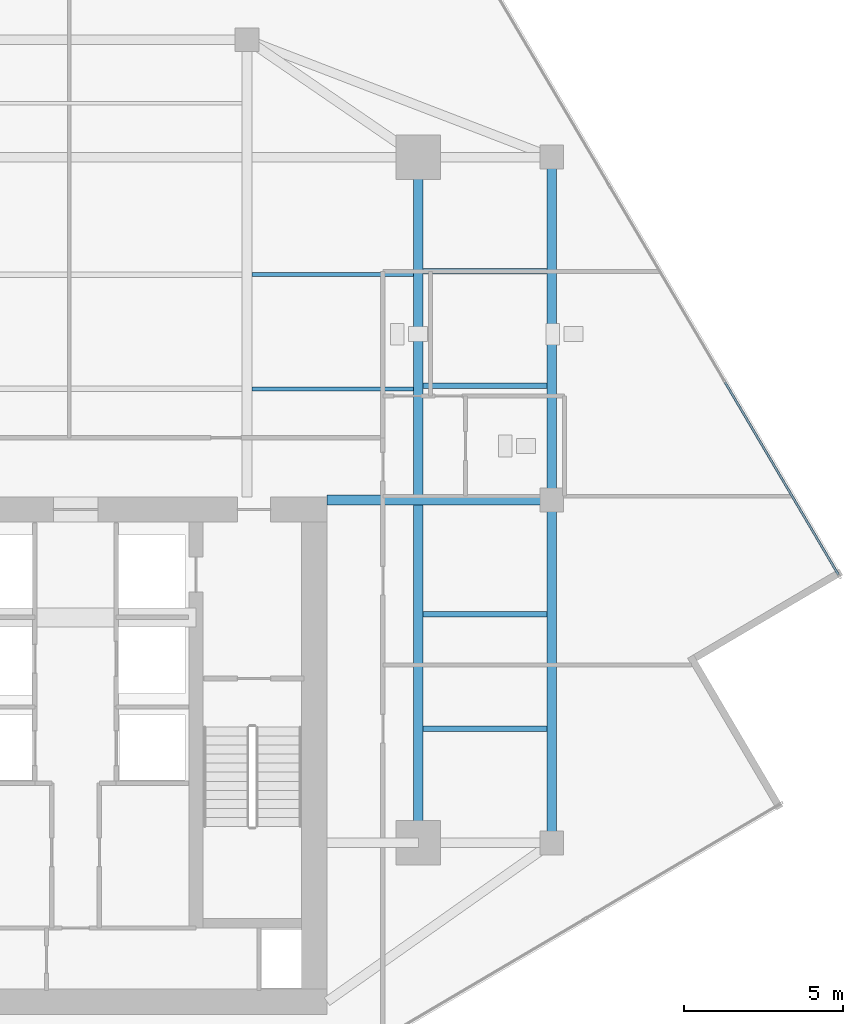
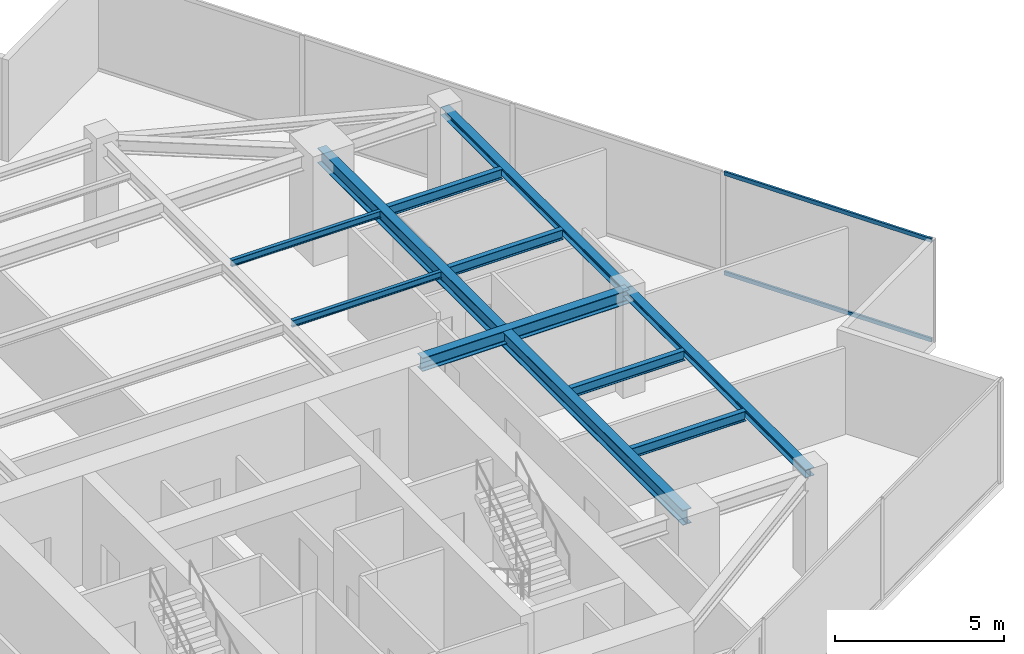
# One storey, part 9 of 20: 10 beams, 2 members, 1 element without a shape of its own.
"""IFC4 building model written with IfcOpenShell, lengths in metres."""

from ifc_helpers import new_model, si_unit, direction, frame, origin, origin_2d, place, context, subcontext, project, spatial, hollow_rectangle, i_section, extrude, source, transform, mapped, material, material_profile, profile_set, type_object, type_shapes, element, aggregate, save


model = new_model("IFC4")

# Units and contexts
model_context = context("Model", 3, precision=1e-05, world=origin(), true_north=direction((0.0, 1.0)))
body_context = subcontext(model_context, "Body", "Model", "MODEL_VIEW")
ifc_project = project(units=[si_unit("LENGTHUNIT", "METRE"), si_unit("AREAUNIT", "SQUARE_METRE"), si_unit("VOLUMEUNIT", "CUBIC_METRE"), si_unit("PLANEANGLEUNIT", "RADIAN"), si_unit("MASSUNIT", "GRAM", prefix="KILO")], contexts=[model_context])

# Site, building, storey
site_placement = place(None, origin())
site = spatial("IfcSite", under=ifc_project, at=site_placement, CompositionType="ELEMENT")
building_placement = place(site_placement, origin())
building = spatial("IfcBuilding", under=site, at=building_placement, Name="Krantzveldt Concourse Tower", CompositionType="ELEMENT")
storey_placement = place(building_placement, frame((0.0, 0.0, 295.050048828125)))
storey = spatial("IfcBuildingStorey", under=building, at=storey_placement, Name="L72", CompositionType="ELEMENT", Elevation=295.050048828125)

# Beams
ifc_material_1 = material(Name="Steel S355JR", Category="steel")
ifc_material_profile_1 = material_profile(ifc_material_1, i_section(OverallWidth=0.300048828125, OverallDepth=0.489990234375, WebThickness=0.011962890625, FlangeThickness=0.02294921875, FilletRadius=0.027099609375, at=origin_2d()), Name="Steel S355JR", Category="steel")
ifc_profile_set_1 = profile_set([ifc_material_profile_1], Name="Steel S355JR - HEA 500")
beam_type_1 = type_object("IfcBeamType", Name="BM-B-HEA500", PredefinedType="BEAM", material=ifc_profile_set_1)
shared_shape_1 = source(origin(), body_context, "Body", "SweptSolid", [
    extrude(i_section(OverallWidth=0.300048828125, OverallDepth=0.489990234375, WebThickness=0.011962890625, FlangeThickness=0.02294921875, FilletRadius=0.027099609375, at=origin_2d()), origin(), (0.0, 0.0, 1.0), 7.080078125),
])
type_shapes(beam_type_1, [shared_shape_1])
beam_1_placement = place(storey_placement, frame((43.919921875, 26.699951171875, 3.425048828125), z_axis=(1.0, 0.0, 0.0), x_axis=(0.0, 1.0, 0.0)))
element("IfcBeam", 1, at=beam_1_placement, inside=storey, type_object=beam_type_1, Name="L72 Tower Girder BG-CE2", PredefinedType="BEAM", context=body_context, shape_type="MappedRepresentation", body=[
    mapped(shared_shape_1, transform((0.0, 0.0, 0.0), x_axis=(1.0, 0.0, 0.0), y_axis=(0.0, 1.0, 0.0), z_axis=(0.0, 0.0, 1.0), scale=1.0)),
])
ifc_material_profile_2 = material_profile(ifc_material_1, i_section(OverallWidth=0.300048828125, OverallDepth=0.5400390625, WebThickness=0.012451171875, FlangeThickness=0.02392578125, FilletRadius=0.027099609375, at=origin_2d()), Name="Steel S355JR", Category="steel")
ifc_profile_set_2 = profile_set([ifc_material_profile_2], Name="Steel S355JR - HEA 550")
beam_type_2 = type_object("IfcBeamType", Name="BM-B-HEA550", PredefinedType="BEAM", material=ifc_profile_set_2)
shared_shape_2 = source(origin(), body_context, "Body", "SweptSolid", [
    extrude(i_section(OverallWidth=0.300048828125, OverallDepth=0.5400390625, WebThickness=0.012451171875, FlangeThickness=0.02392578125, FilletRadius=0.027099609375, at=origin_2d()), origin(), (0.0, 0.0, 1.0), 21.60009765625),
])
type_shapes(beam_type_2, [shared_shape_2])
beam_2_placement = place(storey_placement, frame((46.800048828125, 15.89990234375, 3.39990234375), z_axis=(0.0, 1.0, 0.0), x_axis=(-1.0, 0.0, 0.0)))
element("IfcBeam", 2, at=beam_2_placement, inside=storey, type_object=beam_type_2, Name="L72 Tower Girder BG-ME", PredefinedType="BEAM", context=body_context, shape_type="MappedRepresentation", body=[
    mapped(shared_shape_2, transform((0.0, 0.0, 0.0), x_axis=(1.0, 0.0, 0.0), y_axis=(0.0, 1.0, 0.0), z_axis=(0.0, 0.0, 1.0), scale=1.0)),
])
ifc_material_profile_3 = material_profile(ifc_material_1, i_section(OverallWidth=0.2900390625, OverallDepth=0.2900390625, WebThickness=0.008544921875, FlangeThickness=0.013916015625, FilletRadius=0.027099609375, at=origin_2d()), Name="Steel S355JR", Category="steel")
ifc_profile_set_3 = profile_set([ifc_material_profile_3], Name="Steel S355JR - HEA 300")
beam_type_3 = type_object("IfcBeamType", Name="BM-SP-HEA300", PredefinedType="SPANDREL", material=ifc_profile_set_3)
shared_shape_3 = source(origin(), body_context, "Body", "SweptSolid", [
    extrude(i_section(OverallWidth=0.2900390625, OverallDepth=0.2900390625, WebThickness=0.008544921875, FlangeThickness=0.013916015625, FilletRadius=0.027099609375, at=origin_2d()), origin(), (0.0, 0.0, 1.0), 10.800048828125),
])
type_shapes(beam_type_3, [shared_shape_3])
for number, where, z_axis, x_axis, name in (
    (3, (51.0, 37.5, 3.52490234375), (0.0, -1.0, 0.0), (1.0, 0.0, 0.0), "L72 Tower Girder SP-R06"),
    (4, (51.0, 26.699951171875, 3.52490234375), (0.0, -1.0, 0.0), (1.0, 0.0, 0.0), "L72 Tower Girder SP-R07"),
):
    element("IfcBeam", number, at=place(storey_placement, frame(where, z_axis=z_axis, x_axis=x_axis)), inside=storey, type_object=beam_type_3, Name=name, PredefinedType="SPANDREL", context=body_context, shape_type="MappedRepresentation", body=[
        mapped(shared_shape_3, transform((0.0, 0.0, 0.0), x_axis=(1.0, 0.0, 0.0), y_axis=(0.0, 1.0, 0.0), z_axis=(0.0, 0.0, 1.0), scale=1.0)),
    ])
ifc_material_profile_4 = material_profile(ifc_material_1, i_section(OverallWidth=0.1201171875, OverallDepth=0.239990234375, WebThickness=0.006103515625, FlangeThickness=0.009765625, FilletRadius=0.014892578125, at=origin_2d()), Name="Steel S355JR", Category="steel")
ifc_profile_set_4 = profile_set([ifc_material_profile_4], Name="Steel S355JR - IPE 240")
beam_type_4 = type_object("IfcBeamType", Name="BM-LN-IPE240", PredefinedType="LINTEL", material=ifc_profile_set_4)
shared_shape_4 = source(origin(), body_context, "Body", "SweptSolid", [
    extrude(i_section(OverallWidth=0.1201171875, OverallDepth=0.239990234375, WebThickness=0.006103515625, FlangeThickness=0.009765625, FilletRadius=0.014892578125, at=origin_2d()), origin(), (0.0, 0.0, 1.0), 5.099853515625),
])
type_shapes(beam_type_4, [shared_shape_4])
for number, where, z_axis, x_axis, name in (
    (5, (41.550048828125, 30.199951171875, 3.550048828125), (1.0, 0.0, 0.0), (0.0, 1.0, 0.0), "L72 Secondary Floor Joist JN-E1"),
    (6, (41.550048828125, 33.800048828125, 3.550048828125), (1.0, 0.0, 0.0), (0.0, 1.0, 0.0), "L72 Secondary Floor Joist JN-E2"),
):
    element("IfcBeam", number, at=place(storey_placement, frame(where, z_axis=z_axis, x_axis=x_axis)), inside=storey, type_object=beam_type_4, Name=name, PredefinedType="LINTEL", context=body_context, shape_type="MappedRepresentation", body=[
        mapped(shared_shape_4, transform((0.0, 0.0, 0.0), x_axis=(1.0, 0.0, 0.0), y_axis=(0.0, 1.0, 0.0), z_axis=(0.0, 0.0, 1.0), scale=1.0)),
    ])
ifc_material_profile_5 = material_profile(ifc_material_1, i_section(OverallWidth=0.169921875, OverallDepth=0.360107421875, WebThickness=0.008056640625, FlangeThickness=0.0126953125, FilletRadius=0.01806640625, at=origin_2d()), Name="Steel S355JR", Category="steel")
ifc_profile_set_5 = profile_set([ifc_material_profile_5], Name="Steel S355JR - IPE 360")
beam_type_5 = type_object("IfcBeamType", Name="BM-J-IPE360", PredefinedType="JOIST", material=ifc_profile_set_5)
shared_shape_5 = source(origin(), body_context, "Body", "SweptSolid", [
    extrude(i_section(OverallWidth=0.169921875, OverallDepth=0.360107421875, WebThickness=0.008056640625, FlangeThickness=0.0126953125, FilletRadius=0.01806640625, at=origin_2d()), origin(), (0.0, 0.0, 1.0), 3.900146484375),
])
type_shapes(beam_type_5, [shared_shape_5])
for number, where, z_axis, x_axis, name in (
    (7, (46.949951171875, 19.5, 3.489990234375), (1.0, 0.0, 0.0), (0.0, 1.0, 0.0), "L72 Secondary Floor Joist JE-1"),
    (8, (46.949951171875, 23.10009765625, 3.489990234375), (1.0, 0.0, 0.0), (0.0, 1.0, 0.0), "L72 Secondary Floor Joist JE-2"),
    (9, (46.949951171875, 30.300048828125, 3.489990234375), (1.0, 0.0, 0.0), (0.0, 1.0, 0.0), "L72 Secondary Floor Joist JE-3"),
    (10, (46.949951171875, 33.89990234375, 3.489990234375), (1.0, 0.0, 0.0), (0.0, 1.0, 0.0), "L72 Secondary Floor Joist JE-4"),
):
    element("IfcBeam", number, at=place(storey_placement, frame(where, z_axis=z_axis, x_axis=x_axis)), inside=storey, type_object=beam_type_5, Name=name, PredefinedType="JOIST", context=body_context, shape_type="MappedRepresentation", body=[
        mapped(shared_shape_5, transform((0.0, 0.0, 0.0), x_axis=(1.0, 0.0, 0.0), y_axis=(0.0, 1.0, 0.0), z_axis=(0.0, 0.0, 1.0), scale=1.0)),
    ])

# Curtain wall, members
ifc_material_2 = material(Name="Anodised aluminium 6063-T6", Category="aluminium")
curtain_wall_type = type_object("IfcCurtainWallType", Name="CW4", PredefinedType="USERDEFINED", material=ifc_material_2)
curtain_wall_placement = place(storey_placement, origin())
curtain_wall = element("IfcCurtainWall", 11, at=curtain_wall_placement, inside=storey, type_object=curtain_wall_type, Name="CW-L72-F10", ObjectType="UNITISED CURTAIN WALL", PredefinedType="USERDEFINED")
ifc_material_profile_6 = material_profile(ifc_material_2, hollow_rectangle(XDim=0.070068359375, YDim=0.139892578125, WallThickness=0.0048828125, at=origin_2d()), Name="Anodised aluminium 6063-T6", Category="aluminium")
ifc_profile_set_6 = profile_set([ifc_material_profile_6], Name="Anodised aluminium 6063-T6 - ALU-TRAN 140x70x5")
member_type = type_object("IfcMemberType", Name="CW-TRN-150", PredefinedType="USERDEFINED", material=ifc_profile_set_6)
shared_shape_6 = source(origin(), body_context, "Body", "SweptSolid", [
    extrude(hollow_rectangle(XDim=0.070068359375, YDim=0.139892578125, WallThickness=0.0048828125, at=origin_2d()), origin(), (0.0, 0.0, 1.0), 7.045166015625),
])
type_shapes(member_type, [shared_shape_6])
member_1_placement = place(storey_placement, frame((60.03271484375, 24.341064453125, 0.034912109375), z_axis=(-0.507537969638, 0.861629392126, 0.0), x_axis=(-0.861629392126, -0.507537969638, 0.0)))
member_1 = element("IfcMember", 12, at=member_1_placement, type_object=member_type, Name="CW-Z56 transom 1.1", ObjectType="TRANSOM", PredefinedType="USERDEFINED", context=body_context, shape_type="MappedRepresentation", body=[
    mapped(shared_shape_6, transform((0.0, 0.0, 0.0), x_axis=(1.0, 0.0, 0.0), y_axis=(0.0, 1.0, 0.0), z_axis=(0.0, 0.0, 1.0), scale=1.0)),
])
member_2_placement = place(storey_placement, frame((60.03271484375, 24.341064453125, 3.635009765625), z_axis=(-0.507537969638, 0.861629392126, 0.0), x_axis=(-0.861629392126, -0.507537969638, 0.0)))
member_2 = element("IfcMember", 13, at=member_2_placement, type_object=member_type, Name="CW-Z56 transom 1.2", ObjectType="TRANSOM", PredefinedType="USERDEFINED", context=body_context, shape_type="MappedRepresentation", body=[
    mapped(shared_shape_6, transform((0.0, 0.0, 0.0), x_axis=(1.0, 0.0, 0.0), y_axis=(0.0, 1.0, 0.0), z_axis=(0.0, 0.0, 1.0), scale=1.0)),
])
aggregate(curtain_wall, [member_1, member_2])

save(model, "model.ifc")
